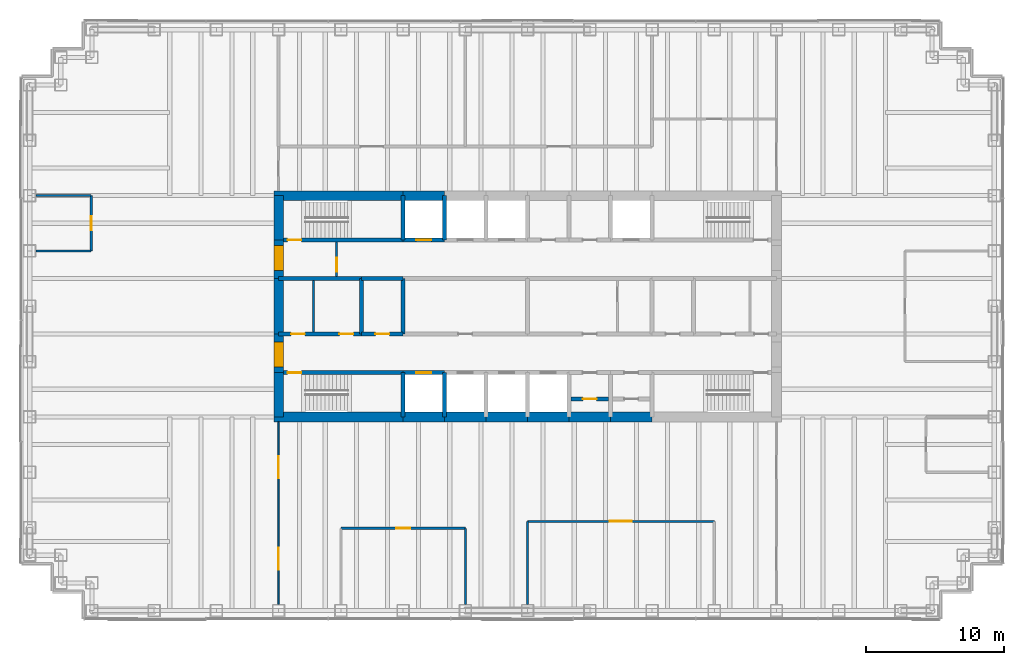
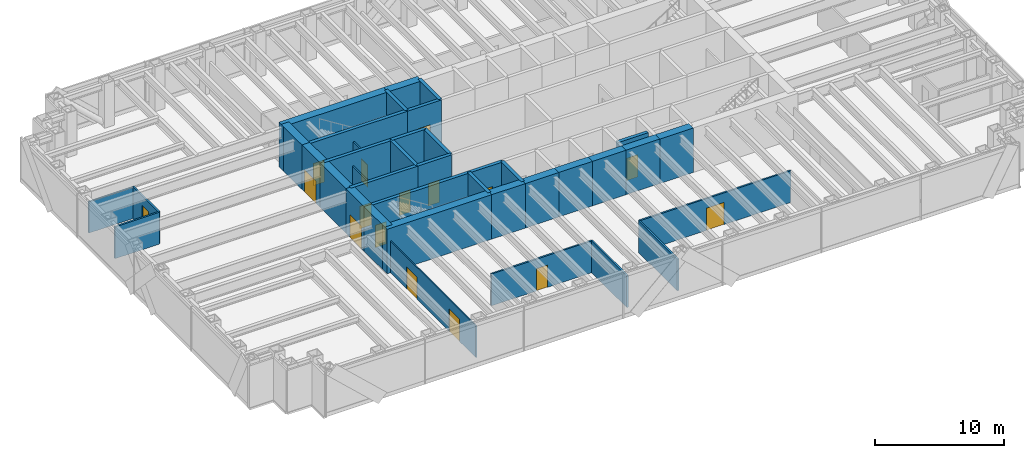
# One storey, part 11 of 15: 39 walls, 16 doors, 16 openings.
"""IFC4 building model written with IfcOpenShell, lengths in metres."""

from ifc_helpers import new_model, si_unit, direction, frame, frame_2d, origin, place, context, subcontext, project, spatial, rectangle, extrude, material, layer, layer_set, type_object, element, fill, save


model = new_model("IFC4")

# Units and contexts
model_context = context("Model", 3, precision=1e-05, world=origin(), true_north=direction((0.0, 1.0)))
body_context = subcontext(model_context, "Body", "Model", "MODEL_VIEW")
ifc_project = project(units=[si_unit("LENGTHUNIT", "METRE"), si_unit("AREAUNIT", "SQUARE_METRE"), si_unit("VOLUMEUNIT", "CUBIC_METRE"), si_unit("PLANEANGLEUNIT", "RADIAN"), si_unit("MASSUNIT", "GRAM", prefix="KILO")], contexts=[model_context])

# Site, building, storey
site_placement = place(None, origin())
site = spatial("IfcSite", under=ifc_project, at=site_placement, CompositionType="ELEMENT")
building_placement = place(site_placement, origin())
building = spatial("IfcBuilding", under=site, at=building_placement, Name="Rheinbord Bourse Tower", CompositionType="ELEMENT")
storey_placement = place(building_placement, frame((0.0, 0.0, 329.89990234375)))
storey = spatial("IfcBuildingStorey", under=building, at=storey_placement, Name="L75", CompositionType="ELEMENT", Elevation=329.89990234375)

# Wall, opening, door
ifc_material_1 = material(Name="Concrete C50/60", Category="concrete")
ifc_layer_1 = layer(ifc_material_1, 0.300048828125)
ifc_layer_set_1 = layer_set([ifc_layer_1], Name="CORE INNER WALL 300")
wall_type_1 = type_object("IfcWallType", Name="CORE INNER WALL 300", PredefinedType="SOLIDWALL", material=ifc_layer_set_1)
wall_1_placement = place(storey_placement, frame((18.0, 19.199951171875, 0.0), z_axis=(0.0, 0.0, 1.0), x_axis=(1.0, 0.0, 0.0)))
wall_1 = element("IfcWall", 1, at=wall_1_placement, inside=storey, type_object=wall_type_1, Name="Core wall A1 L75", PredefinedType="SOLIDWALL", context=body_context, shape_type="SweptSolid", body=[
    extrude(rectangle(XDim=9.0, YDim=0.300048828125, at=frame_2d((4.5, 0.0))), origin(), (0.0, 0.0, 1.0), 4.2001953125),
])
opening_1_placement = place(wall_1_placement, frame((0.64990234375, 0.0, 0.0)))
opening_1 = element("IfcOpeningElement", 2, at=opening_1_placement, cuts=wall_1, Name="Opening 7510", PredefinedType="OPENING", context=body_context, shape_type="SweptSolid", body=[
    extrude(rectangle(XDim=1.0, YDim=2.10009765625, at=frame_2d((0.5, 1.050048828125))), frame((0.0, 0.159912109375, 0.0), z_axis=(0.0, -1.0, 0.0), x_axis=(1.0, 0.0, 0.0)), (0.0, 0.0, 1.0), 0.320068359375),
])
ifc_material_2 = material(Name="Steel door", Category="steel")
door_type_1 = type_object("IfcDoorType", Name="DOOR 1000 EI30", OperationType="SINGLE_SWING_LEFT", PredefinedType="DOOR", material=ifc_material_2)
door_1_placement = place(opening_1_placement, origin())
door_1 = element("IfcDoor", 3, at=door_1_placement, inside=storey, type_object=door_type_1, Name="Stair door ST1 L75", OperationType="SINGLE_SWING_LEFT", OverallHeight=2.10009765625, OverallWidth=1.0, PredefinedType="DOOR", context=body_context, shape_type="SweptSolid", body=[
    extrude(rectangle(XDim=1.0, YDim=2.10009765625, at=frame_2d((0.5, 1.050048828125))), frame((0.0, 0.02490234375, 0.0), z_axis=(0.0, -1.0, 0.0), x_axis=(1.0, 0.0, 0.0)), (0.0, 0.0, 1.0), 0.050048828125),
])
fill(opening_1, door_1)

wall_2_placement = place(storey_placement, frame((27.0, 19.199951171875, 0.0), z_axis=(0.0, 0.0, 1.0), x_axis=(1.0, 0.0, 0.0)))
wall_2 = element("IfcWall", 4, at=wall_2_placement, inside=storey, type_object=wall_type_1, Name="Core wall A2 L75", PredefinedType="SOLIDWALL", context=body_context, shape_type="SweptSolid", body=[
    extrude(rectangle(XDim=3.0, YDim=0.300048828125, at=frame_2d((1.5, 0.0))), origin(), (0.0, 0.0, 1.0), 4.2001953125),
])
opening_2_placement = place(wall_2_placement, frame((0.949951171875, 0.0, 0.0)))
opening_2 = element("IfcOpeningElement", 5, at=opening_2_placement, cuts=wall_2, Name="Opening FL1", PredefinedType="OPENING", context=body_context, shape_type="SweptSolid", body=[
    extrude(rectangle(XDim=1.10009765625, YDim=2.199951171875, at=frame_2d((0.550048828125, 1.10009765625))), frame((0.0, 0.159912109375, 0.0), z_axis=(0.0, -1.0, 0.0), x_axis=(1.0, 0.0, 0.0)), (0.0, 0.0, 1.0), 0.320068359375),
])
ifc_material_3 = material(Name="Steel landing door", Category="steel")
door_type_2 = type_object("IfcDoorType", Name="LIFT LANDING DOOR 1100", OperationType="DOUBLE_DOOR_SLIDING", PredefinedType="USERDEFINED", material=ifc_material_3)
door_2_placement = place(opening_2_placement, origin())
door_2 = element("IfcDoor", 6, at=door_2_placement, inside=storey, type_object=door_type_2, Name="Lift landing door FL1 L75", ObjectType="LIFT LANDING DOOR", OperationType="DOUBLE_DOOR_SLIDING", OverallHeight=2.199951171875, OverallWidth=1.10009765625, PredefinedType="USERDEFINED", context=body_context, shape_type="SweptSolid", body=[
    extrude(rectangle(XDim=1.10009765625, YDim=2.199951171875, at=frame_2d((0.550048828125, 1.10009765625))), frame((0.0, 0.02490234375, 0.0), z_axis=(0.0, -1.0, 0.0), x_axis=(1.0, 0.0, 0.0)), (0.0, 0.0, 1.0), 0.050048828125),
])
fill(opening_2, door_2)

wall_3_placement = place(storey_placement, frame((18.0, 28.800048828125, 0.0), z_axis=(0.0, 0.0, 1.0), x_axis=(1.0, 0.0, 0.0)))
wall_3 = element("IfcWall", 7, at=wall_3_placement, inside=storey, type_object=wall_type_1, Name="Core wall B1 L75", PredefinedType="SOLIDWALL", context=body_context, shape_type="SweptSolid", body=[
    extrude(rectangle(XDim=9.0, YDim=0.300048828125, at=frame_2d((4.5, 0.0))), origin(), (0.0, 0.0, 1.0), 4.2001953125),
])
opening_3_placement = place(wall_3_placement, frame((0.64990234375, 0.0, 0.0)))
opening_3 = element("IfcOpeningElement", 8, at=opening_3_placement, cuts=wall_3, Name="Opening 7520", PredefinedType="OPENING", context=body_context, shape_type="SweptSolid", body=[
    extrude(rectangle(XDim=1.0, YDim=2.10009765625, at=frame_2d((0.5, 1.050048828125))), frame((0.0, 0.159912109375, 0.0), z_axis=(0.0, -1.0, 0.0), x_axis=(1.0, 0.0, 0.0)), (0.0, 0.0, 1.0), 0.320068359375),
])
door_3_placement = place(opening_3_placement, origin())
door_3 = element("IfcDoor", 9, at=door_3_placement, inside=storey, type_object=door_type_1, Name="Stair door ST2 L75", OperationType="SINGLE_SWING_LEFT", OverallHeight=2.10009765625, OverallWidth=1.0, PredefinedType="DOOR", context=body_context, shape_type="SweptSolid", body=[
    extrude(rectangle(XDim=1.0, YDim=2.10009765625, at=frame_2d((0.5, 1.050048828125))), frame((0.0, 0.02490234375, 0.0), z_axis=(0.0, -1.0, 0.0), x_axis=(1.0, 0.0, 0.0)), (0.0, 0.0, 1.0), 0.050048828125),
])
fill(opening_3, door_3)

wall_4_placement = place(storey_placement, frame((27.0, 28.800048828125, 0.0), z_axis=(0.0, 0.0, 1.0), x_axis=(1.0, 0.0, 0.0)))
wall_4 = element("IfcWall", 10, at=wall_4_placement, inside=storey, type_object=wall_type_1, Name="Core wall B2 L75", PredefinedType="SOLIDWALL", context=body_context, shape_type="SweptSolid", body=[
    extrude(rectangle(XDim=3.0, YDim=0.300048828125, at=frame_2d((1.5, 0.0))), origin(), (0.0, 0.0, 1.0), 4.2001953125),
])
opening_4_placement = place(wall_4_placement, frame((0.949951171875, 0.0, 0.0)))
opening_4 = element("IfcOpeningElement", 11, at=opening_4_placement, cuts=wall_4, Name="Opening GL1", PredefinedType="OPENING", context=body_context, shape_type="SweptSolid", body=[
    extrude(rectangle(XDim=1.10009765625, YDim=2.199951171875, at=frame_2d((0.550048828125, 1.10009765625))), frame((0.0, 0.159912109375, 0.0), z_axis=(0.0, -1.0, 0.0), x_axis=(1.0, 0.0, 0.0)), (0.0, 0.0, 1.0), 0.320068359375),
])
door_4_placement = place(opening_4_placement, origin())
door_4 = element("IfcDoor", 12, at=door_4_placement, inside=storey, type_object=door_type_2, Name="Lift landing door GL1 L75", ObjectType="LIFT LANDING DOOR", OperationType="DOUBLE_DOOR_SLIDING", OverallHeight=2.199951171875, OverallWidth=1.10009765625, PredefinedType="USERDEFINED", context=body_context, shape_type="SweptSolid", body=[
    extrude(rectangle(XDim=1.10009765625, YDim=2.199951171875, at=frame_2d((0.550048828125, 1.10009765625))), frame((0.0, 0.02490234375, 0.0), z_axis=(0.0, -1.0, 0.0), x_axis=(1.0, 0.0, 0.0)), (0.0, 0.0, 1.0), 0.050048828125),
])
fill(opening_4, door_4)

# Wall, openings, doors
wall_5_placement = place(storey_placement, frame((18.0, 22.0, 0.0), z_axis=(0.0, 0.0, 1.0), x_axis=(1.0, 0.0, 0.0)))
wall_5 = element("IfcWall", 13, at=wall_5_placement, inside=storey, type_object=wall_type_1, Name="Core wall C1 L75", PredefinedType="SOLIDWALL", context=body_context, shape_type="SweptSolid", body=[
    extrude(rectangle(XDim=6.0, YDim=0.300048828125, at=frame_2d((3.0, 0.0))), origin(), (0.0, 0.0, 1.0), 4.2001953125),
])
opening_5_placement = place(wall_5_placement, frame((4.39990234375, 0.0, 0.0)))
opening_5 = element("IfcOpeningElement", 14, at=opening_5_placement, cuts=wall_5, Name="Opening 75R1", PredefinedType="OPENING", context=body_context, shape_type="SweptSolid", body=[
    extrude(rectangle(XDim=1.0, YDim=2.10009765625, at=frame_2d((0.5, 1.050048828125))), frame((0.0, 0.159912109375, 0.0), z_axis=(0.0, -1.0, 0.0), x_axis=(1.0, 0.0, 0.0)), (0.0, 0.0, 1.0), 0.320068359375),
])
opening_6_placement = place(wall_5_placement, frame((0.89990234375, 0.0, 0.0)))
opening_6 = element("IfcOpeningElement", 15, at=opening_6_placement, cuts=wall_5, Name="Opening 75R9", PredefinedType="OPENING", context=body_context, shape_type="SweptSolid", body=[
    extrude(rectangle(XDim=1.0, YDim=2.10009765625, at=frame_2d((0.5, 1.050048828125))), frame((0.0, 0.159912109375, 0.0), z_axis=(0.0, -1.0, 0.0), x_axis=(1.0, 0.0, 0.0)), (0.0, 0.0, 1.0), 0.320068359375),
])
door_5_placement = place(opening_6_placement, origin())
door_5 = element("IfcDoor", 16, at=door_5_placement, inside=storey, type_object=door_type_1, Name="Baby change door L75", OperationType="SINGLE_SWING_LEFT", OverallHeight=2.10009765625, OverallWidth=1.0, PredefinedType="DOOR", context=body_context, shape_type="SweptSolid", body=[
    extrude(rectangle(XDim=1.0, YDim=2.10009765625, at=frame_2d((0.5, 1.050048828125))), frame((0.0, 0.02490234375, 0.0), z_axis=(0.0, -1.0, 0.0), x_axis=(1.0, 0.0, 0.0)), (0.0, 0.0, 1.0), 0.050048828125),
])
fill(opening_6, door_5)
ifc_material_4 = material(Name="Timber door", Category="wood")
door_type_3 = type_object("IfcDoorType", Name="DOOR 1000 WC", OperationType="SINGLE_SWING_LEFT", PredefinedType="DOOR", material=ifc_material_4)
door_6_placement = place(opening_5_placement, origin())
door_6 = element("IfcDoor", 17, at=door_6_placement, inside=storey, type_object=door_type_3, Name="WC men door L75", OperationType="SINGLE_SWING_RIGHT", OverallHeight=2.10009765625, OverallWidth=1.0, PredefinedType="DOOR", context=body_context, shape_type="SweptSolid", body=[
    extrude(rectangle(XDim=1.0, YDim=2.10009765625, at=frame_2d((0.5, 1.050048828125))), frame((0.0, 0.02490234375, 0.0), z_axis=(0.0, -1.0, 0.0), x_axis=(1.0, 0.0, 0.0)), (0.0, 0.0, 1.0), 0.050048828125),
])
fill(opening_5, door_6)

# Wall, opening, door
wall_6_placement = place(storey_placement, frame((24.0, 22.0, 0.0), z_axis=(0.0, 0.0, 1.0), x_axis=(1.0, 0.0, 0.0)))
wall_6 = element("IfcWall", 18, at=wall_6_placement, inside=storey, type_object=wall_type_1, Name="Core wall C2 L75", PredefinedType="SOLIDWALL", context=body_context, shape_type="SweptSolid", body=[
    extrude(rectangle(XDim=3.0, YDim=0.300048828125, at=frame_2d((1.5, 0.0))), origin(), (0.0, 0.0, 1.0), 4.2001953125),
])
opening_7_placement = place(wall_6_placement, frame((1.0, 0.0, 0.0)))
opening_7 = element("IfcOpeningElement", 19, at=opening_7_placement, cuts=wall_6, Name="Opening 75R2", PredefinedType="OPENING", context=body_context, shape_type="SweptSolid", body=[
    extrude(rectangle(XDim=1.0, YDim=2.10009765625, at=frame_2d((0.5, 1.050048828125))), frame((0.0, 0.159912109375, 0.0), z_axis=(0.0, -1.0, 0.0), x_axis=(1.0, 0.0, 0.0)), (0.0, 0.0, 1.0), 0.320068359375),
])
door_7_placement = place(opening_7_placement, origin())
door_7 = element("IfcDoor", 20, at=door_7_placement, inside=storey, type_object=door_type_1, Name="First aid room door L75", OperationType="SINGLE_SWING_LEFT", OverallHeight=2.10009765625, OverallWidth=1.0, PredefinedType="DOOR", context=body_context, shape_type="SweptSolid", body=[
    extrude(rectangle(XDim=1.0, YDim=2.10009765625, at=frame_2d((0.5, 1.050048828125))), frame((0.0, 0.02490234375, 0.0), z_axis=(0.0, -1.0, 0.0), x_axis=(1.0, 0.0, 0.0)), (0.0, 0.0, 1.0), 0.050048828125),
])
fill(opening_7, door_7)

# Walls
wall_7_placement = place(storey_placement, frame((18.0, 26.0, 0.0), z_axis=(0.0, 0.0, 1.0), x_axis=(1.0, 0.0, 0.0)))
element("IfcWall", 21, at=wall_7_placement, inside=storey, type_object=wall_type_1, Name="Core wall D1 L75", PredefinedType="SOLIDWALL", context=body_context, shape_type="SweptSolid", body=[
    extrude(rectangle(XDim=6.0, YDim=0.300048828125, at=frame_2d((3.0, 0.0))), origin(), (0.0, 0.0, 1.0), 4.2001953125),
])
wall_8_placement = place(storey_placement, frame((24.0, 26.0, 0.0), z_axis=(0.0, 0.0, 1.0), x_axis=(1.0, 0.0, 0.0)))
element("IfcWall", 22, at=wall_8_placement, inside=storey, type_object=wall_type_1, Name="Core wall D2 L75", PredefinedType="SOLIDWALL", context=body_context, shape_type="SweptSolid", body=[
    extrude(rectangle(XDim=3.0, YDim=0.300048828125, at=frame_2d((1.5, 0.0))), origin(), (0.0, 0.0, 1.0), 4.2001953125),
])
for number, where, z_axis, x_axis, name in (
    (23, (27.0, 16.0, 0.0), (0.0, 0.0, 1.0), (0.0, 1.0, 0.0), "Core wall SX27 L75"),
    (24, (27.0, 28.800048828125, 0.0), (0.0, 0.0, 1.0), (0.0, 1.0, 0.0), "Core wall NX27 L75"),
    (25, (30.0, 16.0, 0.0), (0.0, 0.0, 1.0), (0.0, 1.0, 0.0), "Core wall SX30 L75"),
    (26, (30.0, 28.800048828125, 0.0), (0.0, 0.0, 1.0), (0.0, 1.0, 0.0), "Core wall NX30 L75"),
):
    element("IfcWall", number, at=place(storey_placement, frame(where, z_axis=z_axis, x_axis=x_axis)), inside=storey, type_object=wall_type_1, Name=name, PredefinedType="SOLIDWALL", context=body_context, shape_type="SweptSolid", body=[
        extrude(rectangle(XDim=3.199951171875, YDim=0.300048828125, at=frame_2d((1.60009765625, 0.0))), origin(), (0.0, 0.0, 1.0), 4.2001953125),
    ])
for number, where, z_axis, x_axis, name in (
    (27, (24.0, 22.0, 0.0), (0.0, 0.0, 1.0), (0.0, 1.0, 0.0), "Core wall MX24 L75"),
    (28, (27.0, 22.0, 0.0), (0.0, 0.0, 1.0), (0.0, 1.0, 0.0), "Core wall MX27 L75"),
):
    element("IfcWall", number, at=place(storey_placement, frame(where, z_axis=z_axis, x_axis=x_axis)), inside=storey, type_object=wall_type_1, Name=name, PredefinedType="SOLIDWALL", context=body_context, shape_type="SweptSolid", body=[
        extrude(rectangle(XDim=4.0, YDim=0.300048828125, at=frame_2d((2.0, 0.0))), origin(), (0.0, 0.0, 1.0), 4.2001953125),
    ])

# Wall, opening, door
wall_9_placement = place(storey_placement, frame((39.14990234375, 17.300048828125, 0.0), z_axis=(0.0, 0.0, 1.0), x_axis=(1.0, 0.0, 0.0)))
wall_9 = element("IfcWall", 29, at=wall_9_placement, inside=storey, type_object=wall_type_1, Name="Core riser wall L75-6", PredefinedType="SOLIDWALL", context=body_context, shape_type="SweptSolid", body=[
    extrude(rectangle(XDim=2.7001953125, YDim=0.300048828125, at=frame_2d((1.35009765625, 0.0))), origin(), (0.0, 0.0, 1.0), 3.9501953125),
])
opening_8_placement = place(wall_9_placement, frame((0.85009765625, 0.0, 0.0)))
opening_8 = element("IfcOpeningElement", 30, at=opening_8_placement, cuts=wall_9, Name="Opening 75R12", PredefinedType="OPENING", context=body_context, shape_type="SweptSolid", body=[
    extrude(rectangle(XDim=1.0, YDim=2.10009765625, at=frame_2d((0.5, 1.050048828125))), frame((0.0, 0.159912109375, 0.0), z_axis=(0.0, -1.0, 0.0), x_axis=(1.0, 0.0, 0.0)), (0.0, 0.0, 1.0), 0.320068359375),
])
door_8_placement = place(opening_8_placement, origin())
door_8 = element("IfcDoor", 31, at=door_8_placement, inside=storey, type_object=door_type_1, Name="Comms riser door L75", OperationType="SINGLE_SWING_LEFT", OverallHeight=2.10009765625, OverallWidth=1.0, PredefinedType="DOOR", context=body_context, shape_type="SweptSolid", body=[
    extrude(rectangle(XDim=1.0, YDim=2.10009765625, at=frame_2d((0.5, 1.050048828125))), frame((0.0, 0.02490234375, 0.0), z_axis=(0.0, -1.0, 0.0), x_axis=(1.0, 0.0, 0.0)), (0.0, 0.0, 1.0), 0.050048828125),
])
fill(opening_8, door_8)

# Wall
ifc_material_5 = material(Name="Gypsum board fire partition", Category="gypsum board")
ifc_layer_2 = layer(ifc_material_5, 0.14990234375)
ifc_layer_set_2 = layer_set([ifc_layer_2], Name="CORE PARTITION 150 EI30")
wall_type_2 = type_object("IfcWallType", Name="CORE PARTITION 150 EI30", PredefinedType="PARTITIONING", material=ifc_layer_set_2)
wall_10_placement = place(storey_placement, frame((20.52490234375, 22.14990234375, 0.0), z_axis=(0.0, 0.0, 1.0), x_axis=(0.0, 1.0, 0.0)))
element("IfcWall", 32, at=wall_10_placement, inside=storey, type_object=wall_type_2, Name="Core partition L75-2", PredefinedType="PARTITIONING", context=body_context, shape_type="SweptSolid", body=[
    extrude(rectangle(XDim=3.7001953125, YDim=0.14990234375, at=frame_2d((1.85009765625, 0.0))), origin(), (0.0, 0.0, 1.0), 3.0),
])

# Wall, opening, door
wall_11_placement = place(storey_placement, frame((22.199951171875, 26.14990234375, 0.0), z_axis=(0.0, 0.0, 1.0), x_axis=(0.0, 1.0, 0.0)))
wall_11 = element("IfcWall", 33, at=wall_11_placement, inside=storey, type_object=wall_type_2, Name="Core partition L75-5", PredefinedType="PARTITIONING", context=body_context, shape_type="SweptSolid", body=[
    extrude(rectangle(XDim=2.5, YDim=0.14990234375, at=frame_2d((1.25, 0.0))), origin(), (0.0, 0.0, 1.0), 3.0),
])
opening_9_placement = place(wall_11_placement, frame((0.35009765625, 0.0, 0.0)))
opening_9 = element("IfcOpeningElement", 34, at=opening_9_placement, cuts=wall_11, Name="Opening 75L6", PredefinedType="OPENING", context=body_context, shape_type="SweptSolid", body=[
    extrude(rectangle(XDim=1.0, YDim=2.10009765625, at=frame_2d((0.5, 1.050048828125))), frame((0.0, 0.0849609375, 0.0), z_axis=(0.0, -1.0, 0.0), x_axis=(1.0, 0.0, 0.0)), (0.0, 0.0, 1.0), 0.169921875),
])
door_9_placement = place(opening_9_placement, origin())
door_9 = element("IfcDoor", 35, at=door_9_placement, inside=storey, type_object=door_type_1, Name="Stair lobby door L75", OperationType="SINGLE_SWING_LEFT", OverallHeight=2.10009765625, OverallWidth=1.0, PredefinedType="DOOR", context=body_context, shape_type="SweptSolid", body=[
    extrude(rectangle(XDim=1.0, YDim=2.10009765625, at=frame_2d((0.5, 1.050048828125))), frame((0.0, 0.02490234375, 0.0), z_axis=(0.0, -1.0, 0.0), x_axis=(1.0, 0.0, 0.0)), (0.0, 0.0, 1.0), 0.050048828125),
])
fill(opening_9, door_9)

# Walls
ifc_material_6 = material(Name="Concrete C50/60", Category="concrete")
ifc_layer_3 = layer(ifc_material_6, 0.699951171875)
ifc_layer_set_3 = layer_set([ifc_layer_3], Name="CORE WALL 700")
wall_type_3 = type_object("IfcWallType", Name="CORE WALL 700", PredefinedType="SHEAR", material=ifc_layer_set_3)
wall_12_placement = place(storey_placement, frame((17.64990234375, 16.0, 0.0), z_axis=(0.0, 0.0, 1.0), x_axis=(1.0, 0.0, 0.0)))
element("IfcWall", 36, at=wall_12_placement, inside=storey, type_object=wall_type_3, Name="Core wall S1 L75", PredefinedType="SHEAR", context=body_context, shape_type="SweptSolid", body=[
    extrude(rectangle(XDim=9.35009765625, YDim=0.699951171875, at=frame_2d((4.675048828125, 0.0))), origin(), (0.0, 0.0, 1.0), 4.2001953125),
])
for number, where, z_axis, x_axis, name in (
    (37, (27.0, 16.0, 0.0), (0.0, 0.0, 1.0), (1.0, 0.0, 0.0), "Core wall S2 L75"),
    (38, (30.0, 16.0, 0.0), (0.0, 0.0, 1.0), (1.0, 0.0, 0.0), "Core wall S3 L75"),
    (39, (33.0, 16.0, 0.0), (0.0, 0.0, 1.0), (1.0, 0.0, 0.0), "Core wall S4 L75"),
    (40, (36.0, 16.0, 0.0), (0.0, 0.0, 1.0), (1.0, 0.0, 0.0), "Core wall S5 L75"),
    (41, (39.0, 16.0, 0.0), (0.0, 0.0, 1.0), (1.0, 0.0, 0.0), "Core wall S6 L75"),
    (42, (42.0, 16.0, 0.0), (0.0, 0.0, 1.0), (1.0, 0.0, 0.0), "Core wall S7 L75"),
    (43, (30.0, 32.0, 0.0), (0.0, 0.0, 1.0), (-1.0, 0.0, 0.0), "Core wall N7 L75"),
):
    element("IfcWall", number, at=place(storey_placement, frame(where, z_axis=z_axis, x_axis=x_axis)), inside=storey, type_object=wall_type_3, Name=name, PredefinedType="SHEAR", context=body_context, shape_type="SweptSolid", body=[
        extrude(rectangle(XDim=3.0, YDim=0.699951171875, at=frame_2d((1.5, 0.0))), origin(), (0.0, 0.0, 1.0), 4.2001953125),
    ])
wall_13_placement = place(storey_placement, frame((27.0, 32.0, 0.0), z_axis=(0.0, 0.0, 1.0), x_axis=(-1.0, 0.0, 0.0)))
element("IfcWall", 44, at=wall_13_placement, inside=storey, type_object=wall_type_3, Name="Core wall N8 L75", PredefinedType="SHEAR", context=body_context, shape_type="SweptSolid", body=[
    extrude(rectangle(XDim=9.35009765625, YDim=0.699951171875, at=frame_2d((4.675048828125, 0.0))), origin(), (0.0, 0.0, 1.0), 4.2001953125),
])
wall_14_placement = place(storey_placement, frame((18.0, 32.0, 0.0), z_axis=(0.0, 0.0, 1.0), x_axis=(0.0, -1.0, 0.0)))
element("IfcWall", 45, at=wall_14_placement, inside=storey, type_object=wall_type_3, Name="Core wall W1 L75", PredefinedType="SHEAR", context=body_context, shape_type="SweptSolid", body=[
    extrude(rectangle(XDim=3.199951171875, YDim=0.699951171875, at=frame_2d((1.60009765625, 0.0))), origin(), (0.0, 0.0, 1.0), 4.2001953125),
])

# Wall, opening, door
wall_15_placement = place(storey_placement, frame((18.0, 28.800048828125, 0.0), z_axis=(0.0, 0.0, 1.0), x_axis=(0.0, -1.0, 0.0)))
wall_15 = element("IfcWall", 46, at=wall_15_placement, inside=storey, type_object=wall_type_3, Name="Core wall W2 L75", PredefinedType="SHEAR", context=body_context, shape_type="SweptSolid", body=[
    extrude(rectangle(XDim=2.800048828125, YDim=0.699951171875, at=frame_2d((1.39990234375, 0.0))), origin(), (0.0, 0.0, 1.0), 4.2001953125),
])
opening_10_placement = place(wall_15_placement, frame((0.39990234375, 0.0, 0.0)))
opening_10 = element("IfcOpeningElement", 47, at=opening_10_placement, cuts=wall_15, Name="Opening 75L2", PredefinedType="OPENING", context=body_context, shape_type="SweptSolid", body=[
    extrude(rectangle(XDim=1.800048828125, YDim=2.10009765625, at=frame_2d((0.89990234375, 1.050048828125))), frame((0.0, 0.35986328125, 0.0), z_axis=(0.0, -1.0, 0.0), x_axis=(1.0, 0.0, 0.0)), (0.0, 0.0, 1.0), 0.719970703125),
])
ifc_material_7 = material(Name="Steel door", Category="steel")
door_type_4 = type_object("IfcDoorType", Name="DOOR 1800 EI30 DOUBLE", OperationType="DOUBLE_DOOR_DOUBLE_SWING", PredefinedType="DOOR", material=ifc_material_7)
door_10_placement = place(opening_10_placement, origin())
door_10 = element("IfcDoor", 48, at=door_10_placement, inside=storey, type_object=door_type_4, Name="Lobby door 2 L75", OperationType="SINGLE_SWING_LEFT", OverallHeight=2.10009765625, OverallWidth=1.800048828125, PredefinedType="DOOR", context=body_context, shape_type="SweptSolid", body=[
    extrude(rectangle(XDim=1.800048828125, YDim=2.10009765625, at=frame_2d((0.89990234375, 1.050048828125))), frame((0.0, 0.349609375, 0.0), z_axis=(0.0, -1.0, 0.0), x_axis=(1.0, 0.0, 0.0)), (0.0, 0.0, 1.0), 0.699462890625),
])
fill(opening_10, door_10)

# Wall
wall_16_placement = place(storey_placement, frame((18.0, 26.0, 0.0), z_axis=(0.0, 0.0, 1.0), x_axis=(0.0, -1.0, 0.0)))
element("IfcWall", 49, at=wall_16_placement, inside=storey, type_object=wall_type_3, Name="Core wall W3 L75", PredefinedType="SHEAR", context=body_context, shape_type="SweptSolid", body=[
    extrude(rectangle(XDim=4.0, YDim=0.699951171875, at=frame_2d((2.0, 0.0))), origin(), (0.0, 0.0, 1.0), 4.2001953125),
])

# Wall, opening, door
wall_17_placement = place(storey_placement, frame((18.0, 22.0, 0.0), z_axis=(0.0, 0.0, 1.0), x_axis=(0.0, -1.0, 0.0)))
wall_17 = element("IfcWall", 50, at=wall_17_placement, inside=storey, type_object=wall_type_3, Name="Core wall W4 L75", PredefinedType="SHEAR", context=body_context, shape_type="SweptSolid", body=[
    extrude(rectangle(XDim=2.800048828125, YDim=0.699951171875, at=frame_2d((1.39990234375, 0.0))), origin(), (0.0, 0.0, 1.0), 4.2001953125),
])
opening_11_placement = place(wall_17_placement, frame((0.60009765625, 0.0, 0.0)))
opening_11 = element("IfcOpeningElement", 51, at=opening_11_placement, cuts=wall_17, Name="Opening 75L1", PredefinedType="OPENING", context=body_context, shape_type="SweptSolid", body=[
    extrude(rectangle(XDim=1.800048828125, YDim=2.10009765625, at=frame_2d((0.89990234375, 1.050048828125))), frame((0.0, 0.35986328125, 0.0), z_axis=(0.0, -1.0, 0.0), x_axis=(1.0, 0.0, 0.0)), (0.0, 0.0, 1.0), 0.719970703125),
])
door_11_placement = place(opening_11_placement, origin())
door_11 = element("IfcDoor", 52, at=door_11_placement, inside=storey, type_object=door_type_4, Name="Lobby door 1 L75", OperationType="SINGLE_SWING_LEFT", OverallHeight=2.10009765625, OverallWidth=1.800048828125, PredefinedType="DOOR", context=body_context, shape_type="SweptSolid", body=[
    extrude(rectangle(XDim=1.800048828125, YDim=2.10009765625, at=frame_2d((0.89990234375, 1.050048828125))), frame((0.0, 0.349609375, 0.0), z_axis=(0.0, -1.0, 0.0), x_axis=(1.0, 0.0, 0.0)), (0.0, 0.0, 1.0), 0.699462890625),
])
fill(opening_11, door_11)

# Wall
wall_18_placement = place(storey_placement, frame((18.0, 19.199951171875, 0.0), z_axis=(0.0, 0.0, 1.0), x_axis=(0.0, -1.0, 0.0)))
element("IfcWall", 53, at=wall_18_placement, inside=storey, type_object=wall_type_3, Name="Core wall W5 L75", PredefinedType="SHEAR", context=body_context, shape_type="SweptSolid", body=[
    extrude(rectangle(XDim=3.199951171875, YDim=0.699951171875, at=frame_2d((1.60009765625, 0.0))), origin(), (0.0, 0.0, 1.0), 4.2001953125),
])

# Wall, openings, doors
ifc_material_8 = material(Name="Toughened laminated glass partition", Category="glass")
ifc_layer_4 = layer(ifc_material_8, 0.10009765625)
ifc_layer_set_4 = layer_set([ifc_layer_4], Name="GLAZED PARTITION 100")
wall_type_4 = type_object("IfcWallType", Name="GLAZED PARTITION 100", PredefinedType="PARTITIONING", material=ifc_layer_set_4)
wall_19_placement = place(storey_placement, frame((18.0, 2.449951171875, 0.0), z_axis=(0.0, 0.0, 1.0), x_axis=(0.0, 1.0, 0.0)))
wall_19 = element("IfcWall", 54, at=wall_19_placement, inside=storey, type_object=wall_type_4, Name="Partition L75-12", PredefinedType="PARTITIONING", context=body_context, shape_type="SweptSolid", body=[
    extrude(rectangle(XDim=13.199951171875, YDim=0.10009765625, at=frame_2d((6.60009765625, 0.0))), origin(), (0.0, 0.0, 1.0), 3.0),
])
opening_12_placement = place(wall_19_placement, frame((2.5, 0.0, 0.0)))
opening_12 = element("IfcOpeningElement", 55, at=opening_12_placement, cuts=wall_19, Name="Opening 75D09", PredefinedType="OPENING", context=body_context, shape_type="SweptSolid", body=[
    extrude(rectangle(XDim=1.60009765625, YDim=2.10009765625, at=frame_2d((0.800048828125, 1.050048828125))), frame((0.0, 0.06005859375, 0.0), z_axis=(0.0, -1.0, 0.0), x_axis=(1.0, 0.0, 0.0)), (0.0, 0.0, 1.0), 0.1201171875),
])
opening_13_placement = place(wall_19_placement, frame((9.10009765625, 0.0, 0.0)))
opening_13 = element("IfcOpeningElement", 56, at=opening_13_placement, cuts=wall_19, Name="Opening 75D10", PredefinedType="OPENING", context=body_context, shape_type="SweptSolid", body=[
    extrude(rectangle(XDim=1.60009765625, YDim=2.10009765625, at=frame_2d((0.800048828125, 1.050048828125))), frame((0.0, 0.06005859375, 0.0), z_axis=(0.0, -1.0, 0.0), x_axis=(1.0, 0.0, 0.0)), (0.0, 0.0, 1.0), 0.1201171875),
])
ifc_material_9 = material(Name="Timber door", Category="wood")
door_type_5 = type_object("IfcDoorType", Name="DOUBLE ROOM DOOR 1600", OperationType="DOUBLE_DOOR_DOUBLE_SWING", PredefinedType="DOOR", material=ifc_material_9)
door_12_placement = place(opening_12_placement, origin())
door_12 = element("IfcDoor", 57, at=door_12_placement, inside=storey, type_object=door_type_5, Name="Open area door L75", OperationType="SINGLE_SWING_LEFT", OverallHeight=2.10009765625, OverallWidth=1.60009765625, PredefinedType="DOOR", context=body_context, shape_type="SweptSolid", body=[
    extrude(rectangle(XDim=1.60009765625, YDim=2.10009765625, at=frame_2d((0.800048828125, 1.050048828125))), frame((0.0, 0.02490234375, 0.0), z_axis=(0.0, -1.0, 0.0), x_axis=(1.0, 0.0, 0.0)), (0.0, 0.0, 1.0), 0.050048828125),
])
fill(opening_12, door_12)
door_13_placement = place(opening_13_placement, origin())
door_13 = element("IfcDoor", 58, at=door_13_placement, inside=storey, type_object=door_type_5, Name="Open area door L75", OperationType="SINGLE_SWING_LEFT", OverallHeight=2.10009765625, OverallWidth=1.60009765625, PredefinedType="DOOR", context=body_context, shape_type="SweptSolid", body=[
    extrude(rectangle(XDim=1.60009765625, YDim=2.10009765625, at=frame_2d((0.800048828125, 1.050048828125))), frame((0.0, 0.02490234375, 0.0), z_axis=(0.0, -1.0, 0.0), x_axis=(1.0, 0.0, 0.0)), (0.0, 0.0, 1.0), 0.050048828125),
])
fill(opening_13, door_13)

# Wall, opening, door
ifc_material_10 = material(Name="Gypsum board partition", Category="gypsum board")
ifc_layer_5 = layer(ifc_material_10, 0.14990234375)
ifc_layer_set_5 = layer_set([ifc_layer_5], Name="PARTITION 150")
wall_type_5 = type_object("IfcWallType", Name="PARTITION 150", PredefinedType="PARTITIONING", material=ifc_layer_set_5)
wall_20_placement = place(storey_placement, frame((22.5, 7.949951171875, 0.0), z_axis=(0.0, 0.0, 1.0), x_axis=(1.0, 0.0, 0.0)))
wall_20 = element("IfcWall", 59, at=wall_20_placement, inside=storey, type_object=wall_type_5, Name="Partition L75-01", PredefinedType="PARTITIONING", context=body_context, shape_type="SweptSolid", body=[
    extrude(rectangle(XDim=9.0, YDim=0.14990234375, at=frame_2d((4.5, 0.0))), origin(), (0.0, 0.0, 1.0), 3.0),
])
opening_14_placement = place(wall_20_placement, frame((4.0, 0.0, 0.0)))
opening_14 = element("IfcOpeningElement", 60, at=opening_14_placement, cuts=wall_20, Name="Opening 75D01", PredefinedType="OPENING", context=body_context, shape_type="SweptSolid", body=[
    extrude(rectangle(XDim=1.0, YDim=2.10009765625, at=frame_2d((0.5, 1.050048828125))), frame((0.0, 0.0849609375, 0.0), z_axis=(0.0, -1.0, 0.0), x_axis=(1.0, 0.0, 0.0)), (0.0, 0.0, 1.0), 0.169921875),
])
ifc_material_11 = material(Name="Timber door", Category="wood")
door_type_6 = type_object("IfcDoorType", Name="ROOM DOOR 1000", OperationType="SINGLE_SWING_LEFT", PredefinedType="DOOR", material=ifc_material_11)
door_14_placement = place(opening_14_placement, origin())
door_14 = element("IfcDoor", 61, at=door_14_placement, inside=storey, type_object=door_type_6, Name="Board anteroom door L75", OperationType="SINGLE_SWING_LEFT", OverallHeight=2.10009765625, OverallWidth=1.0, PredefinedType="DOOR", context=body_context, shape_type="SweptSolid", body=[
    extrude(rectangle(XDim=1.0, YDim=2.10009765625, at=frame_2d((0.5, 1.050048828125))), frame((0.0, 0.02490234375, 0.0), z_axis=(0.0, -1.0, 0.0), x_axis=(1.0, 0.0, 0.0)), (0.0, 0.0, 1.0), 0.050048828125),
])
fill(opening_14, door_14)

wall_21_placement = place(storey_placement, frame((36.0, 8.449951171875, 0.0), z_axis=(0.0, 0.0, 1.0), x_axis=(1.0, 0.0, 0.0)))
wall_21 = element("IfcWall", 62, at=wall_21_placement, inside=storey, type_object=wall_type_5, Name="Partition L75-02", PredefinedType="PARTITIONING", context=body_context, shape_type="SweptSolid", body=[
    extrude(rectangle(XDim=13.5, YDim=0.14990234375, at=frame_2d((6.75, 0.0))), origin(), (0.0, 0.0, 1.0), 3.0),
])
opening_15_placement = place(wall_21_placement, frame((5.949951171875, 0.0, 0.0)))
opening_15 = element("IfcOpeningElement", 63, at=opening_15_placement, cuts=wall_21, Name="Opening 75D02", PredefinedType="OPENING", context=body_context, shape_type="SweptSolid", body=[
    extrude(rectangle(XDim=1.60009765625, YDim=2.10009765625, at=frame_2d((0.800048828125, 1.050048828125))), frame((0.0, 0.0849609375, 0.0), z_axis=(0.0, -1.0, 0.0), x_axis=(1.0, 0.0, 0.0)), (0.0, 0.0, 1.0), 0.169921875),
])
door_15_placement = place(opening_15_placement, origin())
door_15 = element("IfcDoor", 64, at=door_15_placement, inside=storey, type_object=door_type_5, Name="Kitchen door L75", OperationType="SINGLE_SWING_LEFT", OverallHeight=2.10009765625, OverallWidth=1.60009765625, PredefinedType="DOOR", context=body_context, shape_type="SweptSolid", body=[
    extrude(rectangle(XDim=1.60009765625, YDim=2.10009765625, at=frame_2d((0.800048828125, 1.050048828125))), frame((0.0, 0.02490234375, 0.0), z_axis=(0.0, -1.0, 0.0), x_axis=(1.0, 0.0, 0.0)), (0.0, 0.0, 1.0), 0.050048828125),
])
fill(opening_15, door_15)

# Walls
wall_22_placement = place(storey_placement, frame((0.449951171875, 28.0, 0.0), z_axis=(0.0, 0.0, 1.0), x_axis=(1.0, 0.0, 0.0)))
element("IfcWall", 65, at=wall_22_placement, inside=storey, type_object=wall_type_5, Name="Partition L75-06", PredefinedType="PARTITIONING", context=body_context, shape_type="SweptSolid", body=[
    extrude(rectangle(XDim=4.0, YDim=0.14990234375, at=frame_2d((2.0, 0.0))), origin(), (0.0, 0.0, 1.0), 3.0),
])
wall_23_placement = place(storey_placement, frame((0.449951171875, 32.0, 0.0), z_axis=(0.0, 0.0, 1.0), x_axis=(1.0, 0.0, 0.0)))
element("IfcWall", 66, at=wall_23_placement, inside=storey, type_object=wall_type_5, Name="Partition L75-08", PredefinedType="PARTITIONING", context=body_context, shape_type="SweptSolid", body=[
    extrude(rectangle(XDim=4.0, YDim=0.14990234375, at=frame_2d((2.0, 0.0))), origin(), (0.0, 0.0, 1.0), 2.942138671875),
])

# Wall, opening, door
wall_24_placement = place(storey_placement, frame((4.449951171875, 28.0, 0.0), z_axis=(0.0, 0.0, 1.0), x_axis=(0.0, 1.0, 0.0)))
wall_24 = element("IfcWall", 67, at=wall_24_placement, inside=storey, type_object=wall_type_5, Name="Partition L75-11", PredefinedType="PARTITIONING", context=body_context, shape_type="SweptSolid", body=[
    extrude(rectangle(XDim=4.0, YDim=0.14990234375, at=frame_2d((2.0, 0.0))), origin(), (0.0, 0.0, 1.0), 3.0),
])
opening_16_placement = place(wall_24_placement, frame((1.5, 0.0, 0.0)))
opening_16 = element("IfcOpeningElement", 68, at=opening_16_placement, cuts=wall_24, Name="Opening 75D05", PredefinedType="OPENING", context=body_context, shape_type="SweptSolid", body=[
    extrude(rectangle(XDim=1.0, YDim=2.10009765625, at=frame_2d((0.5, 1.050048828125))), frame((0.0, 0.0849609375, 0.0), z_axis=(0.0, -1.0, 0.0), x_axis=(1.0, 0.0, 0.0)), (0.0, 0.0, 1.0), 0.169921875),
])
door_16_placement = place(opening_16_placement, origin())
door_16 = element("IfcDoor", 69, at=door_16_placement, inside=storey, type_object=door_type_6, Name="Cloakroom door L75", OperationType="SINGLE_SWING_LEFT", OverallHeight=2.10009765625, OverallWidth=1.0, PredefinedType="DOOR", context=body_context, shape_type="SweptSolid", body=[
    extrude(rectangle(XDim=1.0, YDim=2.10009765625, at=frame_2d((0.5, 1.050048828125))), frame((0.0, 0.02490234375, 0.0), z_axis=(0.0, -1.0, 0.0), x_axis=(1.0, 0.0, 0.0)), (0.0, 0.0, 1.0), 0.050048828125),
])
fill(opening_16, door_16)

# Walls
wall_25_placement = place(storey_placement, frame((31.5, 2.449951171875, 0.0), z_axis=(0.0, 0.0, 1.0), x_axis=(0.0, 1.0, 0.0)))
element("IfcWall", 70, at=wall_25_placement, inside=storey, type_object=wall_type_5, Name="Partition L75-16", PredefinedType="PARTITIONING", context=body_context, shape_type="SweptSolid", body=[
    extrude(rectangle(XDim=5.5, YDim=0.14990234375, at=frame_2d((2.75, 0.0))), origin(), (0.0, 0.0, 1.0), 3.0),
])
wall_26_placement = place(storey_placement, frame((36.0, 2.449951171875, 0.0), z_axis=(0.0, 0.0, 1.0), x_axis=(0.0, 1.0, 0.0)))
element("IfcWall", 71, at=wall_26_placement, inside=storey, type_object=wall_type_5, Name="Partition L75-18", PredefinedType="PARTITIONING", context=body_context, shape_type="SweptSolid", body=[
    extrude(rectangle(XDim=6.0, YDim=0.14990234375, at=frame_2d((3.0, 0.0))), origin(), (0.0, 0.0, 1.0), 3.0),
])

save(model, "model.ifc")
